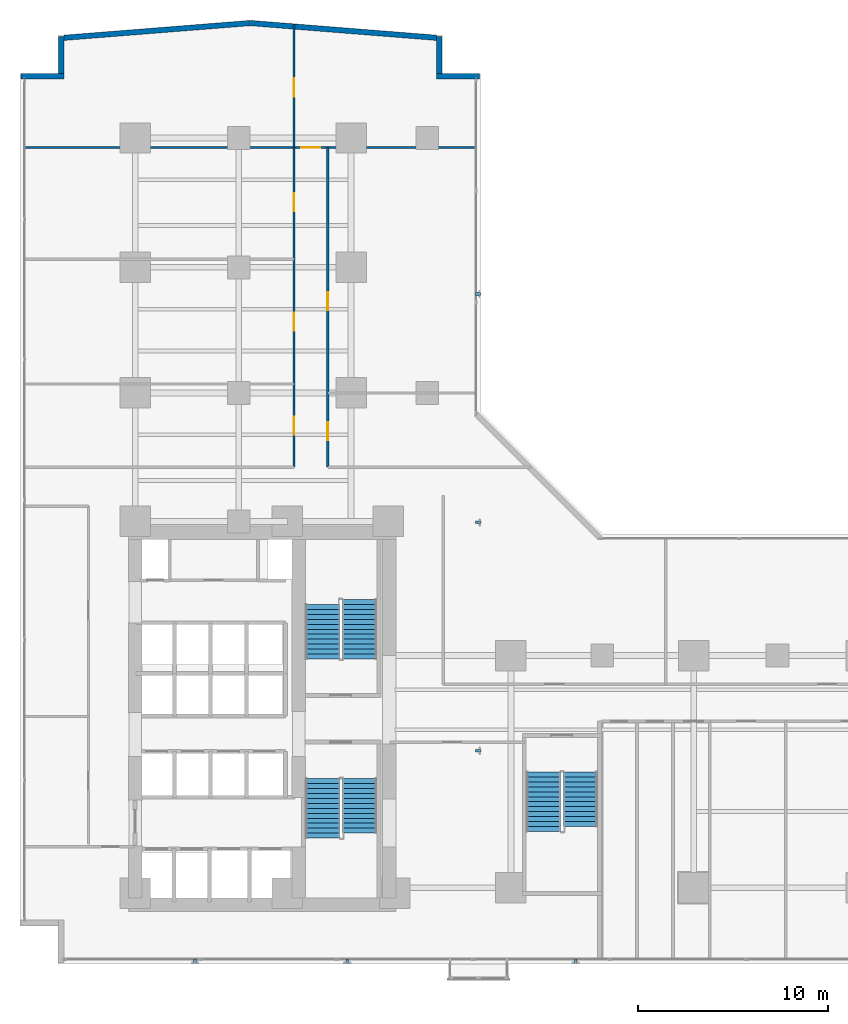
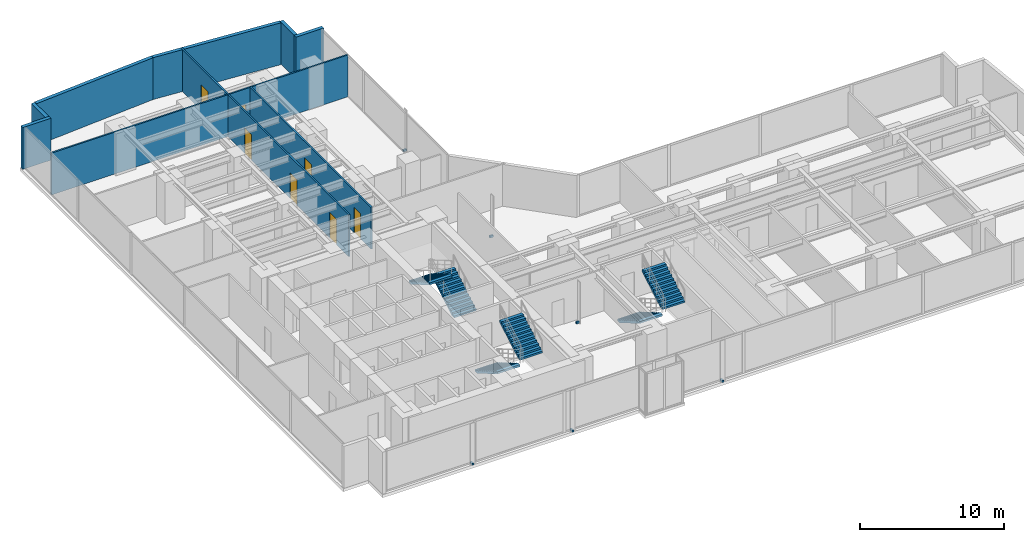
# One storey, part 24 of 27: 10 walls, 7 doors, 6 discrete accessories, 6 stair flights, 7 openings, 3 elements without a shape of their own.
"""IFC4 building model written with IfcOpenShell, lengths in metres."""

from ifc_helpers import new_model, si_unit, direction, frame, frame_2d, origin, origin_with_axes, origin_2d, place, context, subcontext, project, spatial, polyline, rectangle, outline, extrude, source, transform, mapped, material, layer, layer_set, type_object, element, fill, aggregate, save


model = new_model("IFC4")

# Units and contexts
model_context = context("Model", 3, precision=1e-05, world=origin(), true_north=direction((0.0, 1.0)))
body_context = subcontext(model_context, "Body", "Model", "MODEL_VIEW")
ifc_project = project(units=[si_unit("LENGTHUNIT", "METRE"), si_unit("AREAUNIT", "SQUARE_METRE"), si_unit("VOLUMEUNIT", "CUBIC_METRE"), si_unit("PLANEANGLEUNIT", "RADIAN"), si_unit("MASSUNIT", "GRAM", prefix="KILO")], contexts=[model_context])

# Site, building, storey
site_placement = place(None, origin())
site = spatial("IfcSite", under=ifc_project, at=site_placement, CompositionType="ELEMENT")
building_placement = place(site_placement, origin())
building = spatial("IfcBuilding", under=site, at=building_placement, Name="Kolvaren Waterfront Exchange", CompositionType="ELEMENT")
storey_placement = place(building_placement, frame((0.0, 0.0, 60.0)))
storey = spatial("IfcBuildingStorey", under=building, at=storey_placement, Name="L15", CompositionType="ELEMENT", Elevation=60.0)

# Walls
ifc_material_1 = material(Name="Precast concrete C40/50", Category="concrete")
ifc_layer_1 = layer(ifc_material_1, 0.280029296875, Name="Precast concrete C40/50")
ifc_layer_set_1 = layer_set([ifc_layer_1], Name="Precast concrete C40/50")
wall_type_1 = type_object("IfcWallType", Name="ARC-EXT-TERR-280", PredefinedType="SOLIDWALL", material=ifc_layer_set_1)
wall_1_placement = place(storey_placement, frame((23.300048828125, 47.840087890625, 0.0), z_axis=(0.0, 0.0, 1.0), x_axis=(1.0, 0.0, 0.0)))
element("IfcWall", 1, at=wall_1_placement, inside=storey, type_object=wall_type_1, Name="L15 notched corner spandrel pier NNE-A", PredefinedType="SOLIDWALL", context=body_context, shape_type="SweptSolid", body=[
    extrude(rectangle(XDim=2.239990234375, YDim=0.280029296875, at=frame_2d((1.1201171875, 0.0))), origin(), (0.0, 0.0, 1.0), 3.5400390625),
])
wall_2_placement = place(storey_placement, frame((23.43994140625, 47.97998046875, 0.0), z_axis=(0.0, 0.0, 1.0), x_axis=(0.0, 1.0, 0.0)))
element("IfcWall", 2, at=wall_2_placement, inside=storey, type_object=wall_type_1, Name="L15 notched corner spandrel pier NNE-B", PredefinedType="SOLIDWALL", context=body_context, shape_type="SweptSolid", body=[
    extrude(rectangle(XDim=1.9599609375, YDim=0.280029296875, at=frame_2d((0.97998046875, 0.0))), origin(), (0.0, 0.0, 1.0), 3.5400390625),
])
wall_3_placement = place(storey_placement, frame((1.4599609375, 47.840087890625, 0.0), z_axis=(0.0, 0.0, 1.0), x_axis=(1.0, 0.0, 0.0)))
element("IfcWall", 3, at=wall_3_placement, inside=storey, type_object=wall_type_1, Name="L15 notched corner spandrel pier NW-A", PredefinedType="SOLIDWALL", context=body_context, shape_type="SweptSolid", body=[
    extrude(rectangle(XDim=2.239990234375, YDim=0.280029296875, at=frame_2d((1.1201171875, 0.0))), origin(), (0.0, 0.0, 1.0), 3.5400390625),
])
wall_4_placement = place(storey_placement, frame((3.56005859375, 47.97998046875, 0.0), z_axis=(0.0, 0.0, 1.0), x_axis=(0.0, 1.0, 0.0)))
element("IfcWall", 4, at=wall_4_placement, inside=storey, type_object=wall_type_1, Name="L15 notched corner spandrel pier NW-B", PredefinedType="SOLIDWALL", context=body_context, shape_type="SweptSolid", body=[
    extrude(rectangle(XDim=1.9599609375, YDim=0.280029296875, at=frame_2d((0.97998046875, 0.0))), origin(), (0.0, 0.0, 1.0), 3.5400390625),
])
for number, where, z_axis, x_axis, name in (
    (5, (23.288330078125, 49.8642578125, 0.0), (0.0, 0.0, 1.0), (-0.996878337682, 0.078953023125, 0.0), "L15 north prow faceted facade wall 1"),
    (6, (13.49267578125, 50.638916015625, 0.0), (0.0, 0.0, 1.0), (-0.996878337682, -0.078953023125, 0.0), "L15 north prow faceted facade wall 2"),
):
    element("IfcWall", number, at=place(storey_placement, frame(where, z_axis=z_axis, x_axis=x_axis)), inside=storey, type_object=wall_type_1, Name=name, PredefinedType="SOLIDWALL", context=body_context, shape_type="SweptSolid", body=[
        extrude(rectangle(XDim=9.8115234375, YDim=0.280029296875, at=frame_2d((4.90576171875, 0.0))), origin(), (0.0, 0.0, 1.0), 3.5400390625),
    ])

# Wall, openings, doors
ifc_material_2 = material(Name="Acoustic gypsum steel stud", Category="steel")
ifc_layer_2 = layer(ifc_material_2, 0.125, Name="Acoustic gypsum steel stud")
ifc_layer_set_2 = layer_set([ifc_layer_2], Name="Acoustic gypsum steel stud")
wall_type_2 = type_object("IfcWallType", Name="ARC-PART-125", PredefinedType="PARTITIONING", material=ifc_layer_set_2)
wall_5_placement = place(storey_placement, frame((15.800048828125, 27.300048828125, 0.0), z_axis=(0.0, 0.0, 1.0), x_axis=(0.0, 1.0, 0.0)))
wall_5 = element("IfcWall", 7, at=wall_5_placement, inside=storey, type_object=wall_type_2, Name="L15 interior wall PW-L15-NW-CORR", PredefinedType="PARTITIONING", context=body_context, shape_type="SweptSolid", body=[
    extrude(rectangle(XDim=16.800048828125, YDim=0.125, at=frame_2d((8.39990234375, 0.0))), origin(), (0.0, 0.0, 1.0), 3.5400390625),
])
opening_1_placement = place(wall_5_placement, frame((1.7099609375, 0.0, 0.0)))
opening_1 = element("IfcOpeningElement", 8, at=opening_1_placement, cuts=wall_5, Name="Opening D02", PredefinedType="OPENING", context=body_context, shape_type="SweptSolid", body=[
    extrude(rectangle(XDim=0.949951171875, YDim=2.14990234375, at=frame_2d((0.47509765625, 1.074951171875))), frame((0.0, 0.072509765625, 0.0), z_axis=(0.0, -1.0, 0.0), x_axis=(1.0, 0.0, 0.0)), (0.0, 0.0, 1.0), 0.14501953125),
])
opening_2_placement = place(wall_5_placement, frame((7.169921875, 0.0, 0.0)))
opening_2 = element("IfcOpeningElement", 9, at=opening_2_placement, cuts=wall_5, Name="Opening D02", PredefinedType="OPENING", context=body_context, shape_type="SweptSolid", body=[
    extrude(rectangle(XDim=0.949951171875, YDim=2.14990234375, at=frame_2d((0.47509765625, 1.074951171875))), frame((0.0, 0.072509765625, 0.0), z_axis=(0.0, -1.0, 0.0), x_axis=(1.0, 0.0, 0.0)), (0.0, 0.0, 1.0), 0.14501953125),
])
opening_3_placement = place(wall_5_placement, frame((13.456298828125, 0.0, 0.0)))
opening_3 = element("IfcOpeningElement", 10, at=opening_3_placement, cuts=wall_5, Name="Opening D02", PredefinedType="OPENING", context=body_context, shape_type="SweptSolid", body=[
    extrude(rectangle(XDim=0.949951171875, YDim=2.14990234375, at=frame_2d((0.47509765625, 1.074951171875))), frame((0.0, 0.072509765625, 0.0), z_axis=(0.0, -1.0, 0.0), x_axis=(1.0, 0.0, 0.0)), (0.0, 0.0, 1.0), 0.14501953125),
])
ifc_material_3 = material(Name="Oak veneer acoustic timber", Category="wood")
door_type_1 = type_object("IfcDoorType", Name="ARC-DR-950", OperationType="NOTDEFINED", PredefinedType="DOOR", material=ifc_material_3)
door_1_placement = place(opening_1_placement, origin())
door_1 = element("IfcDoor", 11, at=door_1_placement, inside=storey, type_object=door_type_1, Name="L15 door DR-L15-NW-D-1 (D02)", OperationType="SINGLE_SWING_LEFT", OverallHeight=2.14990234375, OverallWidth=0.949951171875, PredefinedType="DOOR", context=body_context, shape_type="SweptSolid", body=[
    extrude(rectangle(XDim=0.949951171875, YDim=2.14990234375, at=frame_2d((0.47509765625, 1.074951171875))), frame((0.0, 0.02490234375, 0.0), z_axis=(0.0, -1.0, 0.0), x_axis=(1.0, 0.0, 0.0)), (0.0, 0.0, 1.0), 0.050048828125),
])
fill(opening_1, door_1)
door_2_placement = place(opening_2_placement, origin())
door_2 = element("IfcDoor", 12, at=door_2_placement, inside=storey, type_object=door_type_1, Name="L15 door DR-L15-NW-D-2 (D02)", OperationType="SINGLE_SWING_RIGHT", OverallHeight=2.14990234375, OverallWidth=0.949951171875, PredefinedType="DOOR", context=body_context, shape_type="SweptSolid", body=[
    extrude(rectangle(XDim=0.949951171875, YDim=2.14990234375, at=frame_2d((0.47509765625, 1.074951171875))), frame((0.0, 0.02490234375, 0.0), z_axis=(0.0, -1.0, 0.0), x_axis=(1.0, 0.0, 0.0)), (0.0, 0.0, 1.0), 0.050048828125),
])
fill(opening_2, door_2)
door_3_placement = place(opening_3_placement, origin())
door_3 = element("IfcDoor", 13, at=door_3_placement, inside=storey, type_object=door_type_1, Name="L15 door DR-L15-NW-D-3 (D02)", OperationType="SINGLE_SWING_LEFT", OverallHeight=2.14990234375, OverallWidth=0.949951171875, PredefinedType="DOOR", context=body_context, shape_type="SweptSolid", body=[
    extrude(rectangle(XDim=0.949951171875, YDim=2.14990234375, at=frame_2d((0.47509765625, 1.074951171875))), frame((0.0, 0.02490234375, 0.0), z_axis=(0.0, -1.0, 0.0), x_axis=(1.0, 0.0, 0.0)), (0.0, 0.0, 1.0), 0.050048828125),
])
fill(opening_3, door_3)

# Wall, opening, door
wall_6_placement = place(storey_placement, frame((1.639892578125, 44.10009765625, 0.0), z_axis=(0.0, 0.0, 1.0), x_axis=(1.0, 0.0, 0.0)))
wall_6 = element("IfcWall", 14, at=wall_6_placement, inside=storey, type_object=wall_type_2, Name="L15 interior wall PW-L15-NTIP-S", PredefinedType="PARTITIONING", context=body_context, shape_type="SweptSolid", body=[
    extrude(rectangle(XDim=23.72021484375, YDim=0.125, at=frame_2d((11.860107421875, 0.0))), origin(), (0.0, 0.0, 1.0), 3.5400390625),
])
opening_4_placement = place(wall_6_placement, frame((14.550048828125, 0.0, 0.0)))
opening_4 = element("IfcOpeningElement", 15, at=opening_4_placement, cuts=wall_6, Name="Opening D03", PredefinedType="OPENING", context=body_context, shape_type="SweptSolid", body=[
    extrude(rectangle(XDim=1.0, YDim=2.199951171875, at=frame_2d((0.5, 1.10009765625))), frame((0.0, 0.072509765625, 0.0), z_axis=(0.0, -1.0, 0.0), x_axis=(1.0, 0.0, 0.0)), (0.0, 0.0, 1.0), 0.14501953125),
])
ifc_material_4 = material(Name="Oak veneer accessible timber", Category="wood")
door_type_2 = type_object("IfcDoorType", Name="ARC-DR-1000", OperationType="NOTDEFINED", PredefinedType="DOOR", material=ifc_material_4)
door_4_placement = place(opening_4_placement, origin())
door_4 = element("IfcDoor", 16, at=door_4_placement, inside=storey, type_object=door_type_2, Name="L15 door DR-L15-NTIPE-D (D03)", OperationType="SINGLE_SWING_RIGHT", OverallHeight=2.199951171875, OverallWidth=1.0, PredefinedType="DOOR", context=body_context, shape_type="SweptSolid", body=[
    extrude(rectangle(XDim=1.0, YDim=2.199951171875, at=frame_2d((0.5, 1.10009765625))), frame((0.0, 0.02490234375, 0.0), z_axis=(0.0, -1.0, 0.0), x_axis=(1.0, 0.0, 0.0)), (0.0, 0.0, 1.0), 0.050048828125),
])
fill(opening_4, door_4)

wall_7_placement = place(storey_placement, frame((15.800048828125, 44.10009765625, 0.0), z_axis=(0.0, 0.0, 1.0), x_axis=(0.0, 1.0, 0.0)))
wall_7 = element("IfcWall", 17, at=wall_7_placement, inside=storey, type_object=wall_type_2, Name="L15 interior wall PW-L15-NTIP-DIV", PredefinedType="PARTITIONING", context=body_context, shape_type="SweptSolid", body=[
    extrude(rectangle(XDim=6.4599609375, YDim=0.125, at=frame_2d((3.22998046875, 0.0))), origin(), (0.0, 0.0, 1.0), 3.5400390625),
])
opening_5_placement = place(wall_7_placement, frame((2.677490234375, 0.0, 0.0)))
opening_5 = element("IfcOpeningElement", 18, at=opening_5_placement, cuts=wall_7, Name="Opening D02", PredefinedType="OPENING", context=body_context, shape_type="SweptSolid", body=[
    extrude(rectangle(XDim=0.949951171875, YDim=2.14990234375, at=frame_2d((0.47509765625, 1.074951171875))), frame((0.0, 0.072509765625, 0.0), z_axis=(0.0, -1.0, 0.0), x_axis=(1.0, 0.0, 0.0)), (0.0, 0.0, 1.0), 0.14501953125),
])
door_5_placement = place(opening_5_placement, origin())
door_5 = element("IfcDoor", 19, at=door_5_placement, inside=storey, type_object=door_type_1, Name="L15 door DR-L15-NTIPW-D (D02)", OperationType="SINGLE_SWING_LEFT", OverallHeight=2.14990234375, OverallWidth=0.949951171875, PredefinedType="DOOR", context=body_context, shape_type="SweptSolid", body=[
    extrude(rectangle(XDim=0.949951171875, YDim=2.14990234375, at=frame_2d((0.47509765625, 1.074951171875))), frame((0.0, 0.02490234375, 0.0), z_axis=(0.0, -1.0, 0.0), x_axis=(1.0, 0.0, 0.0)), (0.0, 0.0, 1.0), 0.050048828125),
])
fill(opening_5, door_5)

# Wall, openings, doors
wall_8_placement = place(storey_placement, frame((17.580078125, 27.300048828125, 0.0), z_axis=(0.0, 0.0, 1.0), x_axis=(0.0, 1.0, 0.0)))
wall_8 = element("IfcWall", 20, at=wall_8_placement, inside=storey, type_object=wall_type_2, Name="L15 interior wall PW-L15-NE-CORR", PredefinedType="PARTITIONING", context=body_context, shape_type="SweptSolid", body=[
    extrude(rectangle(XDim=16.800048828125, YDim=0.125, at=frame_2d((8.39990234375, 0.0))), origin(), (0.0, 0.0, 1.0), 3.5400390625),
])
opening_6_placement = place(wall_8_placement, frame((1.4033203125, 0.0, 0.0)))
opening_6 = element("IfcOpeningElement", 21, at=opening_6_placement, cuts=wall_8, Name="Opening D02", PredefinedType="OPENING", context=body_context, shape_type="SweptSolid", body=[
    extrude(rectangle(XDim=0.949951171875, YDim=2.14990234375, at=frame_2d((0.47509765625, 1.074951171875))), frame((0.0, 0.072509765625, 0.0), z_axis=(0.0, -1.0, 0.0), x_axis=(1.0, 0.0, 0.0)), (0.0, 0.0, 1.0), 0.14501953125),
])
opening_7_placement = place(wall_8_placement, frame((8.251953125, 0.0, 0.0)))
opening_7 = element("IfcOpeningElement", 22, at=opening_7_placement, cuts=wall_8, Name="Opening D02", PredefinedType="OPENING", context=body_context, shape_type="SweptSolid", body=[
    extrude(rectangle(XDim=0.949951171875, YDim=2.14990234375, at=frame_2d((0.47509765625, 1.074951171875))), frame((0.0, 0.072509765625, 0.0), z_axis=(0.0, -1.0, 0.0), x_axis=(1.0, 0.0, 0.0)), (0.0, 0.0, 1.0), 0.14501953125),
])
door_6_placement = place(opening_6_placement, origin())
door_6 = element("IfcDoor", 23, at=door_6_placement, inside=storey, type_object=door_type_1, Name="L15 door DR-L15-NE-D-1 (D02)", OperationType="SINGLE_SWING_RIGHT", OverallHeight=2.14990234375, OverallWidth=0.949951171875, PredefinedType="DOOR", context=body_context, shape_type="SweptSolid", body=[
    extrude(rectangle(XDim=0.949951171875, YDim=2.14990234375, at=frame_2d((0.47509765625, 1.074951171875))), frame((0.0, 0.02490234375, 0.0), z_axis=(0.0, -1.0, 0.0), x_axis=(1.0, 0.0, 0.0)), (0.0, 0.0, 1.0), 0.050048828125),
])
fill(opening_6, door_6)
door_7_placement = place(opening_7_placement, origin())
door_7 = element("IfcDoor", 24, at=door_7_placement, inside=storey, type_object=door_type_1, Name="L15 door DR-L15-NE-D-2 (D02)", OperationType="SINGLE_SWING_LEFT", OverallHeight=2.14990234375, OverallWidth=0.949951171875, PredefinedType="DOOR", context=body_context, shape_type="SweptSolid", body=[
    extrude(rectangle(XDim=0.949951171875, YDim=2.14990234375, at=frame_2d((0.47509765625, 1.074951171875))), frame((0.0, 0.02490234375, 0.0), z_axis=(0.0, -1.0, 0.0), x_axis=(1.0, 0.0, 0.0)), (0.0, 0.0, 1.0), 0.050048828125),
])
fill(opening_7, door_7)

# Stair, stair flights
ifc_material_5 = material(Name="Concrete C40/50", Category="concrete")
stair_type = type_object("IfcStairType", Name="ARC-STAIR-3800", PredefinedType="HALF_TURN_STAIR", material=ifc_material_5)
stair_1_placement = place(storey_placement, origin())
stair_1 = element("IfcStair", 25, at=stair_1_placement, inside=storey, type_object=stair_type, Name="L15 Smoke-proof exit stair ST1", PredefinedType="HALF_TURN_STAIR")
stair_flight_type = type_object("IfcStairFlightType", Name="ARC-FLIGHT-3800", PredefinedType="STRAIGHT", material=ifc_material_5)
stair_flight_1_placement = place(storey_placement, frame((17.300048828125, 10.929931640625, 0.0), z_axis=(0.0, 0.0, 1.0), x_axis=(0.0, -1.0, 0.0)))
stair_flight_1 = element("IfcStairFlight", 26, at=stair_flight_1_placement, type_object=stair_flight_type, Name="ST1 flight 1", NumberOfRisers=13, NumberOfTreads=12, PredefinedType="STRAIGHT", RiserHeight=0.152, TreadLength=0.26, context=body_context, shape_type="SweptSolid", body=[
    extrude(outline(polyline([(0.0, 0.0), (0.0, 0.152099609375), (0.260009765625, 0.152099609375), (0.260009765625, 0.303955078125), (0.52001953125, 0.303955078125), (0.52001953125, 0.4560546875), (0.780029296875, 0.4560546875), (0.780029296875, 0.60791015625), (1.0400390625, 0.60791015625), (1.0400390625, 0.760009765625), (1.300048828125, 0.760009765625), (1.300048828125, 0.912109375), (1.56005859375, 0.912109375), (1.56005859375, 1.06396484375), (1.820068359375, 1.06396484375), (1.820068359375, 1.216064453125), (2.080078125, 1.216064453125), (2.080078125, 1.367919921875), (2.340087890625, 1.367919921875), (2.340087890625, 1.52001953125), (2.60009765625, 1.52001953125), (2.60009765625, 1.672119140625), (2.860107421875, 1.672119140625), (2.860107421875, 1.823974609375), (3.1201171875, 1.823974609375), (3.1201171875, 1.97607421875), (3.1201171875, 1.650390625), (0.297119140625, 0.0), (0.0, 0.0)])), frame((0.0, 0.89990234375, 0.0), z_axis=(0.0, -1.0, 0.0), x_axis=(1.0, 0.0, 0.0)), (0.0, 0.0, 1.0), 1.800048828125),
])
stair_flight_2_placement = place(storey_placement, frame((19.260009765625, 8.070068359375, 1.97607421875), z_axis=(0.0, 0.0, 1.0), x_axis=(0.0, 1.0, 0.0)))
stair_flight_2 = element("IfcStairFlight", 27, at=stair_flight_2_placement, type_object=stair_flight_type, Name="ST1 flight 2", NumberOfRisers=12, NumberOfTreads=11, PredefinedType="STRAIGHT", RiserHeight=0.152, TreadLength=0.26, context=body_context, shape_type="SweptSolid", body=[
    extrude(outline(polyline([(0.0, 0.0), (0.0, 0.152099609375), (0.260009765625, 0.152099609375), (0.260009765625, 0.303955078125), (0.52001953125, 0.303955078125), (0.52001953125, 0.4560546875), (0.780029296875, 0.4560546875), (0.780029296875, 0.60791015625), (1.0400390625, 0.60791015625), (1.0400390625, 0.760009765625), (1.300048828125, 0.760009765625), (1.300048828125, 0.912109375), (1.56005859375, 0.912109375), (1.56005859375, 1.06396484375), (1.820068359375, 1.06396484375), (1.820068359375, 1.216064453125), (2.080078125, 1.216064453125), (2.080078125, 1.367919921875), (2.340087890625, 1.367919921875), (2.340087890625, 1.52001953125), (2.60009765625, 1.52001953125), (2.60009765625, 1.672119140625), (2.860107421875, 1.672119140625), (2.860107421875, 1.823974609375), (2.860107421875, 1.498291015625), (0.297119140625, 0.0), (0.0, 0.0)])), frame((0.0, 0.89990234375, 0.0), z_axis=(0.0, -1.0, 0.0), x_axis=(1.0, 0.0, 0.0)), (0.0, 0.0, 1.0), 1.800048828125),
])
aggregate(stair_1, [stair_flight_1, stair_flight_2])

stair_2_placement = place(storey_placement, origin())
stair_2 = element("IfcStair", 28, at=stair_2_placement, inside=storey, type_object=stair_type, Name="L15 Smoke-proof exit stair ST2", PredefinedType="HALF_TURN_STAIR")
stair_flight_3_placement = place(storey_placement, frame((19.260009765625, 17.219970703125, 0.0), z_axis=(0.0, 0.0, 1.0), x_axis=(0.0, 1.0, 0.0)))
stair_flight_3 = element("IfcStairFlight", 29, at=stair_flight_3_placement, type_object=stair_flight_type, Name="ST2 flight 1", NumberOfRisers=13, NumberOfTreads=12, PredefinedType="STRAIGHT", RiserHeight=0.152, TreadLength=0.26, context=body_context, shape_type="SweptSolid", body=[
    extrude(outline(polyline([(0.0, 0.0), (0.0, 0.152099609375), (0.260009765625, 0.152099609375), (0.260009765625, 0.303955078125), (0.52001953125, 0.303955078125), (0.52001953125, 0.4560546875), (0.780029296875, 0.4560546875), (0.780029296875, 0.60791015625), (1.0400390625, 0.60791015625), (1.0400390625, 0.760009765625), (1.300048828125, 0.760009765625), (1.300048828125, 0.912109375), (1.56005859375, 0.912109375), (1.56005859375, 1.06396484375), (1.820068359375, 1.06396484375), (1.820068359375, 1.216064453125), (2.080078125, 1.216064453125), (2.080078125, 1.367919921875), (2.340087890625, 1.367919921875), (2.340087890625, 1.52001953125), (2.60009765625, 1.52001953125), (2.60009765625, 1.672119140625), (2.860107421875, 1.672119140625), (2.860107421875, 1.823974609375), (3.1201171875, 1.823974609375), (3.1201171875, 1.97607421875), (3.1201171875, 1.650390625), (0.297119140625, 0.0), (0.0, 0.0)])), frame((0.0, 0.89990234375, 0.0), z_axis=(0.0, -1.0, 0.0), x_axis=(1.0, 0.0, 0.0)), (0.0, 0.0, 1.0), 1.800048828125),
])
stair_flight_4_placement = place(storey_placement, frame((17.300048828125, 20.080078125, 1.97607421875), z_axis=(0.0, 0.0, 1.0), x_axis=(0.0, -1.0, 0.0)))
stair_flight_4 = element("IfcStairFlight", 30, at=stair_flight_4_placement, type_object=stair_flight_type, Name="ST2 flight 2", NumberOfRisers=12, NumberOfTreads=11, PredefinedType="STRAIGHT", RiserHeight=0.152, TreadLength=0.26, context=body_context, shape_type="SweptSolid", body=[
    extrude(outline(polyline([(0.0, 0.0), (0.0, 0.152099609375), (0.260009765625, 0.152099609375), (0.260009765625, 0.303955078125), (0.52001953125, 0.303955078125), (0.52001953125, 0.4560546875), (0.780029296875, 0.4560546875), (0.780029296875, 0.60791015625), (1.0400390625, 0.60791015625), (1.0400390625, 0.760009765625), (1.300048828125, 0.760009765625), (1.300048828125, 0.912109375), (1.56005859375, 0.912109375), (1.56005859375, 1.06396484375), (1.820068359375, 1.06396484375), (1.820068359375, 1.216064453125), (2.080078125, 1.216064453125), (2.080078125, 1.367919921875), (2.340087890625, 1.367919921875), (2.340087890625, 1.52001953125), (2.60009765625, 1.52001953125), (2.60009765625, 1.672119140625), (2.860107421875, 1.672119140625), (2.860107421875, 1.823974609375), (2.860107421875, 1.498291015625), (0.297119140625, 0.0), (0.0, 0.0)])), frame((0.0, 0.89990234375, 0.0), z_axis=(0.0, -1.0, 0.0), x_axis=(1.0, 0.0, 0.0)), (0.0, 0.0, 1.0), 1.800048828125),
])
aggregate(stair_2, [stair_flight_3, stair_flight_4])

stair_3_placement = place(storey_placement, origin())
stair_3 = element("IfcStair", 31, at=stair_3_placement, inside=storey, type_object=stair_type, Name="L15 Exit stair ST3", PredefinedType="HALF_TURN_STAIR")
stair_flight_5_placement = place(storey_placement, frame((28.89990234375, 11.280029296875, 0.0), z_axis=(0.0, 0.0, 1.0), x_axis=(0.0, -1.0, 0.0)))
stair_flight_5 = element("IfcStairFlight", 32, at=stair_flight_5_placement, type_object=stair_flight_type, Name="ST3 flight 1", NumberOfRisers=13, NumberOfTreads=12, PredefinedType="STRAIGHT", RiserHeight=0.152, TreadLength=0.26, context=body_context, shape_type="SweptSolid", body=[
    extrude(outline(polyline([(0.0, 0.0), (0.0, 0.152099609375), (0.260009765625, 0.152099609375), (0.260009765625, 0.303955078125), (0.52001953125, 0.303955078125), (0.52001953125, 0.4560546875), (0.780029296875, 0.4560546875), (0.780029296875, 0.60791015625), (1.0400390625, 0.60791015625), (1.0400390625, 0.760009765625), (1.300048828125, 0.760009765625), (1.300048828125, 0.912109375), (1.56005859375, 0.912109375), (1.56005859375, 1.06396484375), (1.820068359375, 1.06396484375), (1.820068359375, 1.216064453125), (2.080078125, 1.216064453125), (2.080078125, 1.367919921875), (2.340087890625, 1.367919921875), (2.340087890625, 1.52001953125), (2.60009765625, 1.52001953125), (2.60009765625, 1.672119140625), (2.860107421875, 1.672119140625), (2.860107421875, 1.823974609375), (3.1201171875, 1.823974609375), (3.1201171875, 1.97607421875), (3.1201171875, 1.650390625), (0.297119140625, 0.0), (0.0, 0.0)])), frame((0.0, 0.89990234375, 0.0), z_axis=(0.0, -1.0, 0.0), x_axis=(1.0, 0.0, 0.0)), (0.0, 0.0, 1.0), 1.800048828125),
])
stair_flight_6_placement = place(storey_placement, frame((30.860107421875, 8.419921875, 1.97607421875), z_axis=(0.0, 0.0, 1.0), x_axis=(0.0, 1.0, 0.0)))
stair_flight_6 = element("IfcStairFlight", 33, at=stair_flight_6_placement, type_object=stair_flight_type, Name="ST3 flight 2", NumberOfRisers=12, NumberOfTreads=11, PredefinedType="STRAIGHT", RiserHeight=0.152, TreadLength=0.26, context=body_context, shape_type="SweptSolid", body=[
    extrude(outline(polyline([(0.0, 0.0), (0.0, 0.152099609375), (0.260009765625, 0.152099609375), (0.260009765625, 0.303955078125), (0.52001953125, 0.303955078125), (0.52001953125, 0.4560546875), (0.780029296875, 0.4560546875), (0.780029296875, 0.60791015625), (1.0400390625, 0.60791015625), (1.0400390625, 0.760009765625), (1.300048828125, 0.760009765625), (1.300048828125, 0.912109375), (1.56005859375, 0.912109375), (1.56005859375, 1.06396484375), (1.820068359375, 1.06396484375), (1.820068359375, 1.216064453125), (2.080078125, 1.216064453125), (2.080078125, 1.367919921875), (2.340087890625, 1.367919921875), (2.340087890625, 1.52001953125), (2.60009765625, 1.52001953125), (2.60009765625, 1.672119140625), (2.860107421875, 1.672119140625), (2.860107421875, 1.823974609375), (2.860107421875, 1.498291015625), (0.297119140625, 0.0), (0.0, 0.0)])), frame((0.0, 0.89990234375, 0.0), z_axis=(0.0, -1.0, 0.0), x_axis=(1.0, 0.0, 0.0)), (0.0, 0.0, 1.0), 1.800048828125),
])
aggregate(stair_3, [stair_flight_5, stair_flight_6])

# Discrete accessories
ifc_material_6 = material(Name="Stainless steel 316", Category="steel")
discrete_accessory_type = type_object("IfcDiscreteAccessoryType", Name="ARC-BRK-FIN", PredefinedType="BRACKET", material=ifc_material_6)
shared_shape = source(origin_with_axes(), body_context, "Body", "SweptSolid", [
    extrude(rectangle(XDim=0.280029296875, YDim=0.139892578125, at=origin_2d()), origin(), (0.0, 0.0, 1.0), 0.159912109375),
])
for number, where, z_axis, x_axis, name in (
    (34, (10.60009765625, 1.320068359375, 0.0), (0.0, 0.0, 1.0), (0.0, -1.0, 0.0), "L15 bronze fin anchor bracket FIN-L15-S1"),
    (35, (18.60009765625, 1.320068359375, 0.0), (0.0, 0.0, 1.0), (0.0, -1.0, 0.0), "L15 bronze fin anchor bracket FIN-L15-S2"),
    (36, (30.60009765625, 1.320068359375, 0.0), (0.0, 0.0, 1.0), (0.0, -1.0, 0.0), "L15 bronze fin anchor bracket FIN-L15-S3"),
    (37, (25.47998046875, 12.39990234375, 0.0), (0.0, 0.0, 1.0), (1.0, 0.0, 0.0), "L15 bronze fin anchor bracket FIN-L15-E1"),
    (38, (25.47998046875, 24.39990234375, 0.0), (0.0, 0.0, 1.0), (1.0, 0.0, 0.0), "L15 bronze fin anchor bracket FIN-L15-E2"),
    (39, (25.47998046875, 36.39990234375, 0.0), (0.0, 0.0, 1.0), (1.0, 0.0, 0.0), "L15 bronze fin anchor bracket FIN-L15-E3"),
):
    element("IfcDiscreteAccessory", number, at=place(storey_placement, frame(where, z_axis=z_axis, x_axis=x_axis)), inside=storey, type_object=discrete_accessory_type, Name=name, PredefinedType="BRACKET", context=body_context, shape_type="MappedRepresentation", body=[
        mapped(shared_shape, transform((0.0, 0.0, 0.0), x_axis=(1.0, 0.0, 0.0), y_axis=(0.0, 1.0, 0.0), z_axis=(0.0, 0.0, 1.0), scale=1.0)),
    ])

save(model, "model.ifc")
